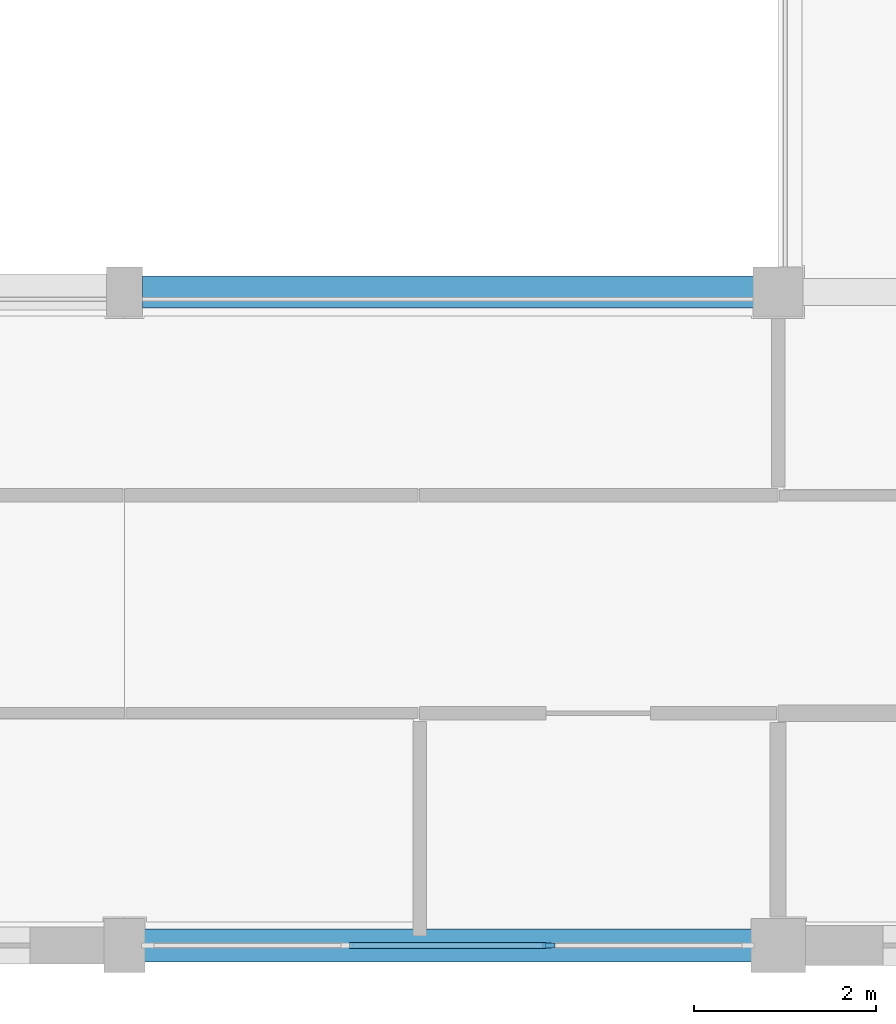
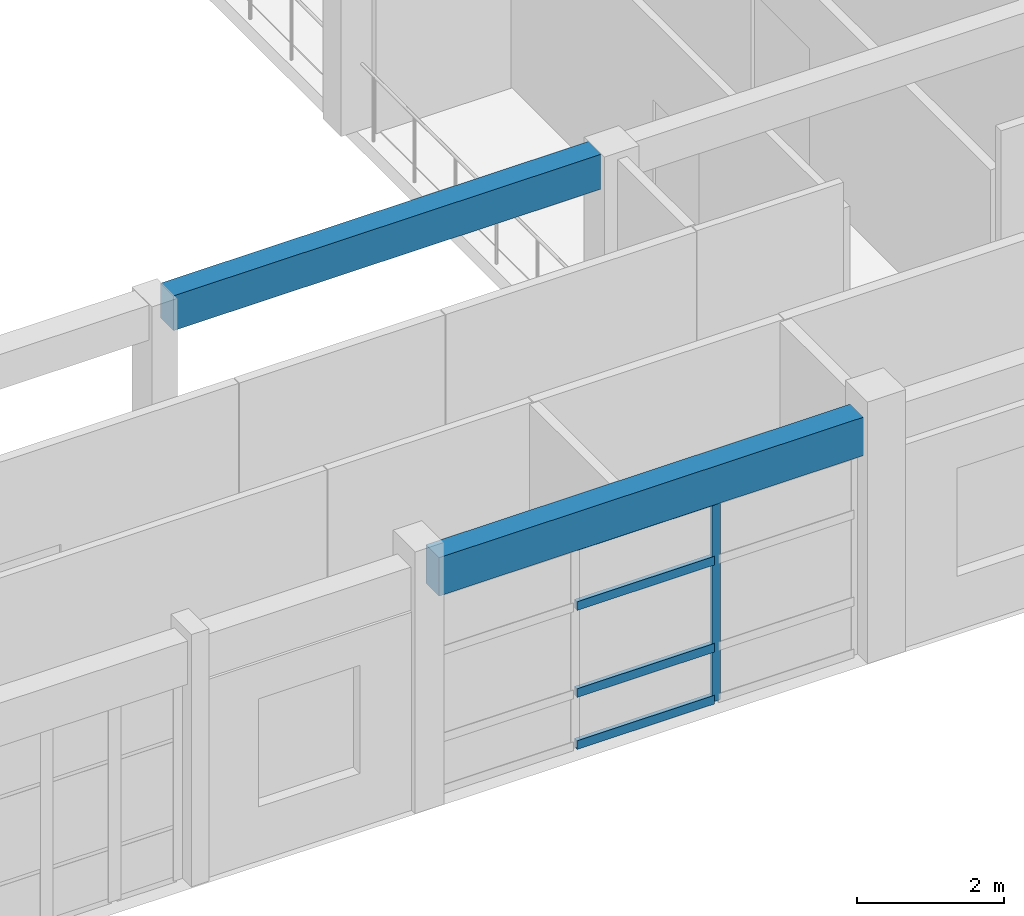
# One storey, part 15 of 110: 5 members, 2 beams, 1 element without a shape of its own.
"""IFC4 building model written with IfcOpenShell, lengths in metres."""

from ifc_helpers import new_model, si_unit, direction, frame, origin, origin_2d, place, context, subcontext, project, spatial, rectangle, extrude, material, material_profile, profile_set, type_object, element, aggregate, save


model = new_model("IFC4")

# Units and contexts
model_context = context("Model", 3, precision=1e-05, world=origin(), true_north=direction((0.0, 1.0)))
body_context = subcontext(model_context, "Body", "Model", "MODEL_VIEW")
ifc_project = project(units=[si_unit("LENGTHUNIT", "METRE"), si_unit("AREAUNIT", "SQUARE_METRE"), si_unit("VOLUMEUNIT", "CUBIC_METRE"), si_unit("PLANEANGLEUNIT", "RADIAN"), si_unit("MASSUNIT", "GRAM", prefix="KILO")], contexts=[model_context])

# Site, building, storey
site_placement = place(None, origin())
site = spatial("IfcSite", under=ifc_project, at=site_placement, CompositionType="ELEMENT")
building_placement = place(site_placement, origin())
building = spatial("IfcBuilding", under=site, at=building_placement, Name="Steenspoor Specialist Clinic", CompositionType="ELEMENT")
storey_placement = place(building_placement, frame((0.0, 0.0, 4.800048828125)))
storey = spatial("IfcBuildingStorey", under=building, at=storey_placement, Name="L01", CompositionType="ELEMENT", Elevation=4.800048828125)

# Beam
ifc_material_1 = material(Name="Concrete C35/45", Category="concrete")
ifc_material_profile_1 = material_profile(ifc_material_1, rectangle(XDim=0.35009765625, YDim=0.580078125, at=origin_2d()), Name="RC-BM-350X580")
ifc_profile_set_1 = profile_set([ifc_material_profile_1], Name="Concrete C35/45")
beam_type_1 = type_object("IfcBeamType", Name="BM-RC-350X580", PredefinedType="BEAM", material=ifc_profile_set_1)
beam_1_placement = place(storey_placement, frame((95.794921875, 20.25, 3.744873046875), z_axis=(1.0, 0.0, 0.0), x_axis=(0.0, 1.0, 0.0)))
element("IfcBeam", 1, at=beam_1_placement, inside=storey, type_object=beam_type_1, Name="BM-V1-L01-X0129", PredefinedType="BEAM", context=body_context, shape_type="SweptSolid", body=[
    extrude(rectangle(XDim=0.35009765625, YDim=0.580078125, at=origin_2d()), origin(), (0.0, 0.0, 1.0), 6.735107421875),
])

# Curtain wall, members
ifc_material_2 = material(Name="Thermally broken aluminium and low-emissivity glass", Category="aluminium")
curtain_wall_type = type_object("IfcCurtainWallType", Name="CW-TYP-240X355", PredefinedType="USERDEFINED", material=ifc_material_2)
curtain_wall_placement = place(storey_placement, origin())
curtain_wall = element("IfcCurtainWall", 2, at=curtain_wall_placement, inside=storey, type_object=curtain_wall_type, Name="Unitised Curtain Wall CW-V1-L01-016", ObjectType="UNITISED GLAZING", PredefinedType="USERDEFINED")
ifc_material_3 = material(Name="Thermally broken aluminium 6063-T6", Category="aluminium")
ifc_material_profile_2 = material_profile(ifc_material_3, rectangle(XDim=0.06005859375, YDim=0.135009765625, at=origin_2d()), Name="CWM-60X135")
ifc_profile_set_2 = profile_set([ifc_material_profile_2], Name="Thermally broken aluminium 6063-T6")
member_type_1 = type_object("IfcMemberType", Name="CW-MULL-60X135", PredefinedType="MULLION", material=ifc_profile_set_2)
member_1_placement = place(storey_placement, frame((100.27490234375, 13.050048828125, 0.0), z_axis=(0.0, 0.0, 1.0), x_axis=(0.0, -1.0, 0.0)))
member_1 = element("IfcMember", 3, at=member_1_placement, type_object=member_type_1, Name="CW-16 mullion 2", PredefinedType="MULLION", context=body_context, shape_type="SweptSolid", body=[
    extrude(rectangle(XDim=0.06005859375, YDim=0.135009765625, at=origin_2d()), origin(), (0.0, 0.0, 1.0), 3.3798828125),
])
ifc_material_profile_3 = material_profile(ifc_material_3, rectangle(XDim=0.070068359375, YDim=0.14501953125, at=origin_2d()), Name="CWT-70X145")
ifc_profile_set_3 = profile_set([ifc_material_profile_3], Name="Thermally broken aluminium 6063-T6")
member_type_2 = type_object("IfcMemberType", Name="CW-TRAN-70X145", PredefinedType="USERDEFINED", material=ifc_profile_set_3)
member_2_placement = place(storey_placement, frame((100.2451171875, 13.050048828125, 0.034912109375), z_axis=(-1.0, 0.0, 0.0), x_axis=(0.0, -1.0, 0.0)))
member_2 = element("IfcMember", 4, at=member_2_placement, type_object=member_type_2, Name="CW-16 transom 2.1", ObjectType="TRANSOM", PredefinedType="USERDEFINED", context=body_context, shape_type="SweptSolid", body=[
    extrude(rectangle(XDim=0.070068359375, YDim=0.14501953125, at=origin_2d()), origin(), (0.0, 0.0, 1.0), 2.1650390625),
])
member_3_placement = place(storey_placement, frame((100.2451171875, 13.050048828125, 0.89990234375), z_axis=(-1.0, 0.0, 0.0), x_axis=(0.0, -1.0, 0.0)))
member_3 = element("IfcMember", 5, at=member_3_placement, type_object=member_type_2, Name="CW-16 transom 2.2", ObjectType="TRANSOM", PredefinedType="USERDEFINED", context=body_context, shape_type="SweptSolid", body=[
    extrude(rectangle(XDim=0.070068359375, YDim=0.14501953125, at=origin_2d()), origin(), (0.0, 0.0, 1.0), 2.1650390625),
])
member_4_placement = place(storey_placement, frame((100.2451171875, 13.050048828125, 2.349853515625), z_axis=(-1.0, 0.0, 0.0), x_axis=(0.0, -1.0, 0.0)))
member_4 = element("IfcMember", 6, at=member_4_placement, type_object=member_type_2, Name="CW-16 transom 2.3", ObjectType="TRANSOM", PredefinedType="USERDEFINED", context=body_context, shape_type="SweptSolid", body=[
    extrude(rectangle(XDim=0.070068359375, YDim=0.14501953125, at=origin_2d()), origin(), (0.0, 0.0, 1.0), 2.1650390625),
])
member_5_placement = place(storey_placement, frame((100.2451171875, 13.050048828125, 3.344970703125), z_axis=(-1.0, 0.0, 0.0), x_axis=(0.0, -1.0, 0.0)))
member_5 = element("IfcMember", 7, at=member_5_placement, type_object=member_type_2, Name="CW-16 transom 2.4", ObjectType="TRANSOM", PredefinedType="USERDEFINED", context=body_context, shape_type="SweptSolid", body=[
    extrude(rectangle(XDim=0.070068359375, YDim=0.14501953125, at=origin_2d()), origin(), (0.0, 0.0, 1.0), 2.1650390625),
])
aggregate(curtain_wall, [member_1, member_2, member_3, member_4, member_5])

# Beam
ifc_material_profile_4 = material_profile(ifc_material_1, rectangle(XDim=0.360107421875, YDim=0.639892578125, at=origin_2d()), Name="RC-SP-360X640")
ifc_profile_set_4 = profile_set([ifc_material_profile_4], Name="Concrete C35/45")
beam_type_2 = type_object("IfcBeamType", Name="SP-RC-360X640", PredefinedType="SPANDREL", material=ifc_profile_set_4)
beam_2_placement = place(storey_placement, frame((95.820068359375, 13.050048828125, 3.71484375), z_axis=(1.0, 0.0, 0.0), x_axis=(0.0, 1.0, 0.0)))
element("IfcBeam", 8, at=beam_2_placement, inside=storey, type_object=beam_type_2, Name="BM-V1-L01-X0121", PredefinedType="SPANDREL", context=body_context, shape_type="SweptSolid", body=[
    extrude(rectangle(XDim=0.360107421875, YDim=0.639892578125, at=origin_2d()), origin(), (0.0, 0.0, 1.0), 6.684814453125),
])

save(model, "model.ifc")
